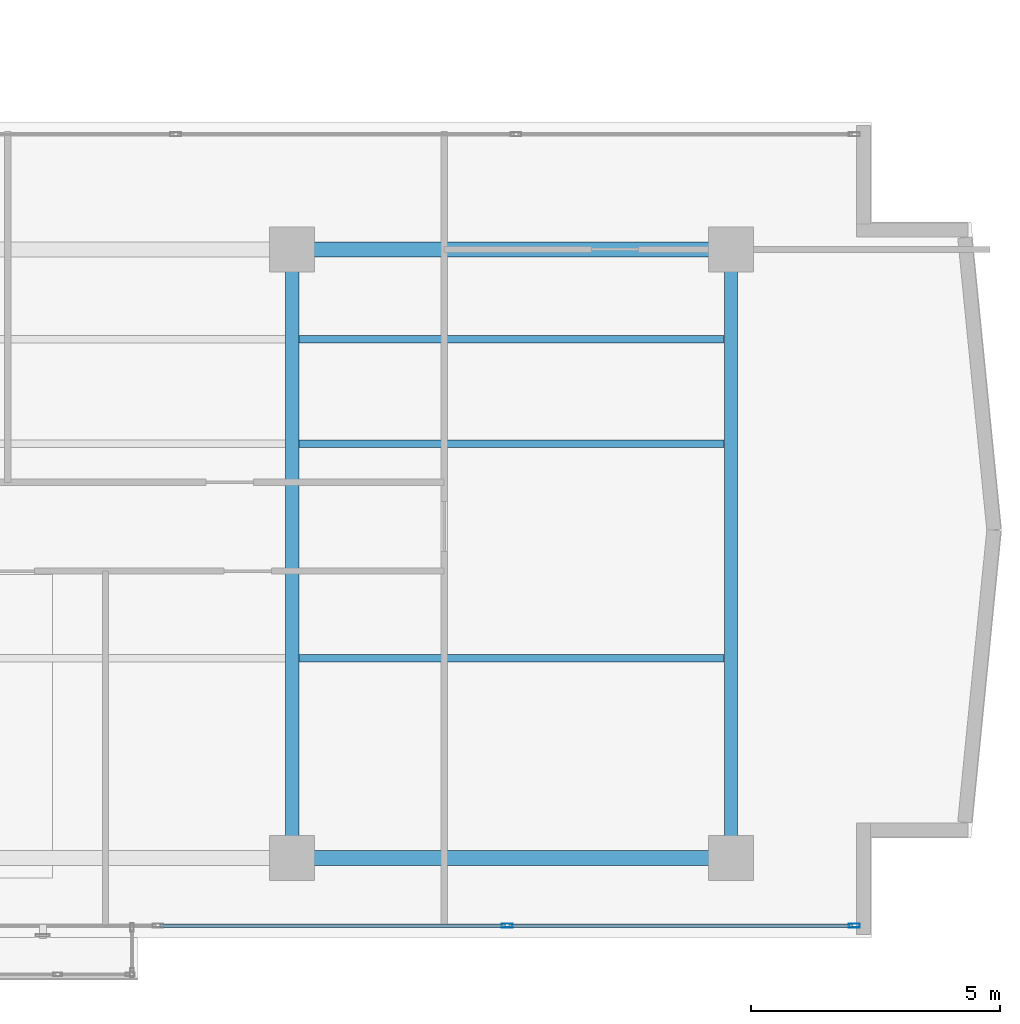
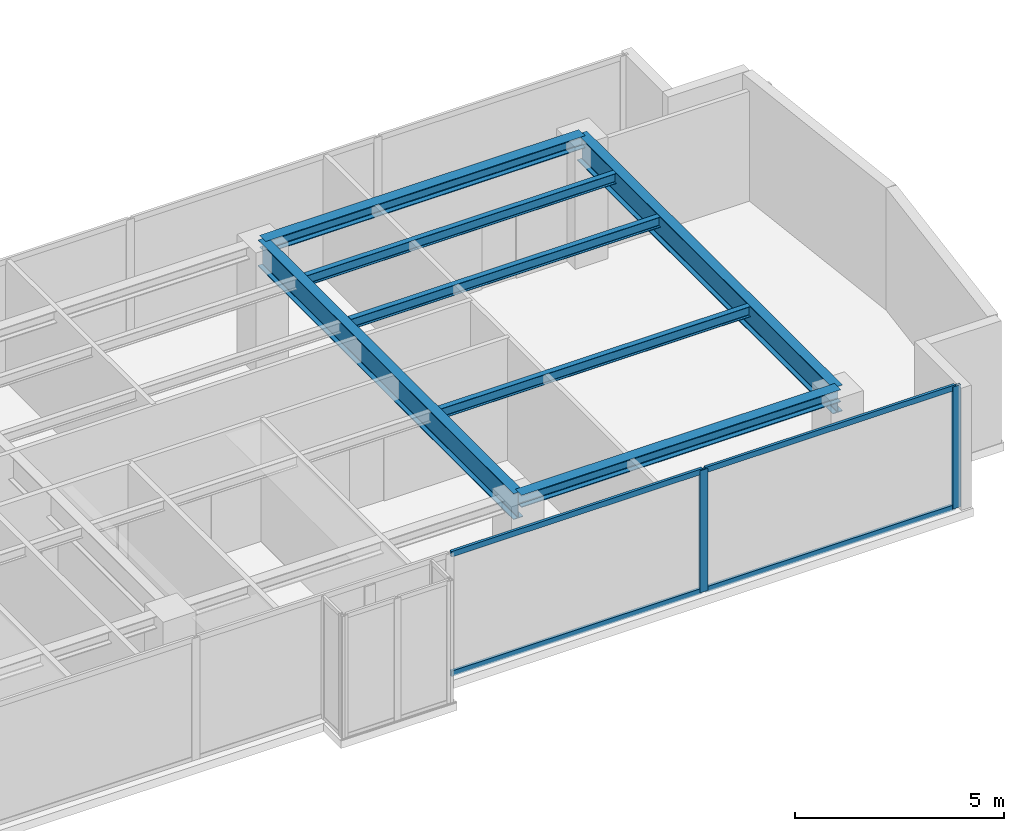
# One storey, part 11 of 22: 7 beams, 6 members, 1 element without a shape of its own.
"""IFC4 building model written with IfcOpenShell, lengths in metres."""

from ifc_helpers import new_model, si_unit, direction, frame, origin, origin_with_axes, origin_2d, place, context, subcontext, project, spatial, hollow_rectangle, i_section, extrude, source, transform, mapped, material, layer, layer_set, material_profile, profile_set, type_object, element, aggregate, save


model = new_model("IFC4")

# Units and contexts
model_context = context("Model", 3, precision=1e-05, world=origin(), true_north=direction((0.0, 1.0)))
body_context = subcontext(model_context, "Body", "Model", "MODEL_VIEW")
ifc_project = project(units=[si_unit("LENGTHUNIT", "METRE"), si_unit("AREAUNIT", "SQUARE_METRE"), si_unit("VOLUMEUNIT", "CUBIC_METRE"), si_unit("PLANEANGLEUNIT", "RADIAN"), si_unit("MASSUNIT", "GRAM", prefix="KILO")], contexts=[model_context])

# Site, building, storey
site_placement = place(None, origin())
site = spatial("IfcSite", under=ifc_project, at=site_placement, CompositionType="ELEMENT")
building_placement = place(site_placement, origin())
building = spatial("IfcBuilding", under=site, at=building_placement, Name="Kolvaren Waterfront Exchange", CompositionType="ELEMENT")
storey_placement = place(building_placement, frame((0.0, 0.0, 281.800048828125)))
storey = spatial("IfcBuildingStorey", under=building, at=storey_placement, Name="L72", CompositionType="ELEMENT", Elevation=281.800048828125)

# Beams
ifc_material_1 = material(Name="Steel S355", Category="steel")
ifc_material_profile_1 = material_profile(ifc_material_1, i_section(OverallWidth=0.300048828125, OverallDepth=0.360107421875, WebThickness=0.012451171875, FlangeThickness=0.0224609375, FilletRadius=0.027099609375, at=origin_2d()), Name="HEB360")
ifc_profile_set_1 = profile_set([ifc_material_profile_1], Name="Steel S355")
beam_type_1 = type_object("IfcBeamType", Name="STR-BM-HEB360", PredefinedType="SPANDREL", material=ifc_profile_set_1)
for number, where, z_axis, x_axis, name in (
    (1, (36.800048828125, 5.199951171875, 3.3798828125), (1.0, 0.0, 0.0), (0.0, 1.0, 0.0), "L72 east-arm spandrel S3"),
    (2, (36.800048828125, 17.39990234375, 3.3798828125), (1.0, 0.0, 0.0), (0.0, 1.0, 0.0), "L72 east-arm spandrel N3"),
):
    element("IfcBeam", number, at=place(storey_placement, frame(where, z_axis=z_axis, x_axis=x_axis)), inside=storey, type_object=beam_type_1, Name=name, PredefinedType="SPANDREL", context=body_context, shape_type="SweptSolid", body=[
        extrude(i_section(OverallWidth=0.300048828125, OverallDepth=0.360107421875, WebThickness=0.012451171875, FlangeThickness=0.0224609375, FilletRadius=0.027099609375, at=origin_2d()), origin(), (0.0, 0.0, 1.0), 8.800048828125),
    ])
ifc_material_profile_2 = material_profile(ifc_material_1, i_section(OverallWidth=0.14990234375, OverallDepth=0.300048828125, WebThickness=0.007080078125, FlangeThickness=0.0107421875, FilletRadius=0.014892578125, at=origin_2d()), Name="IPE300")
ifc_profile_set_2 = profile_set([ifc_material_profile_2], Name="Steel S355")
beam_type_2 = type_object("IfcBeamType", Name="STR-BM-IPE300", PredefinedType="JOIST", material=ifc_profile_set_2)
for number, where, z_axis, x_axis, name in (
    (3, (36.935546875, 13.5, 3.409912109375), (1.0, 0.0, 0.0), (0.0, 1.0, 0.0), "L72 east-arm composite joist 3A"),
    (4, (36.935546875, 15.60009765625, 3.409912109375), (1.0, 0.0, 0.0), (0.0, 1.0, 0.0), "L72 east-arm composite joist 3C"),
    (5, (36.935546875, 9.199951171875, 3.409912109375), (1.0, 0.0, 0.0), (0.0, 1.0, 0.0), "L72 east-arm composite joist 3B"),
):
    element("IfcBeam", number, at=place(storey_placement, frame(where, z_axis=z_axis, x_axis=x_axis)), inside=storey, type_object=beam_type_2, Name=name, PredefinedType="JOIST", context=body_context, shape_type="SweptSolid", body=[
        extrude(i_section(OverallWidth=0.14990234375, OverallDepth=0.300048828125, WebThickness=0.007080078125, FlangeThickness=0.0107421875, FilletRadius=0.014892578125, at=origin_2d()), origin(), (0.0, 0.0, 1.0), 8.529052734375),
    ])
ifc_material_profile_3 = material_profile(ifc_material_1, i_section(OverallWidth=0.26708984375, OverallDepth=0.761962890625, WebThickness=0.014404296875, FlangeThickness=0.021484375, FilletRadius=0.01708984375, at=origin_2d()), Name="IPE750x173")
ifc_profile_set_3 = profile_set([ifc_material_profile_3], Name="Steel S355")
beam_type_3 = type_object("IfcBeamType", Name="STR-BM-IPE750", PredefinedType="BEAM", material=ifc_profile_set_3)
for number, where, z_axis, x_axis, name in (
    (6, (36.800048828125, 5.199951171875, 3.178955078125), (0.0, 1.0, 0.0), (-1.0, 0.0, 0.0), "L72 east-arm transverse girder X36"),
    (7, (45.60009765625, 5.199951171875, 3.178955078125), (0.0, 1.0, 0.0), (-1.0, 0.0, 0.0), "L72 east-arm transverse girder X45"),
):
    element("IfcBeam", number, at=place(storey_placement, frame(where, z_axis=z_axis, x_axis=x_axis)), inside=storey, type_object=beam_type_3, Name=name, PredefinedType="BEAM", context=body_context, shape_type="SweptSolid", body=[
        extrude(i_section(OverallWidth=0.26708984375, OverallDepth=0.761962890625, WebThickness=0.014404296875, FlangeThickness=0.021484375, FilletRadius=0.01708984375, at=origin_2d()), origin(), (0.0, 0.0, 1.0), 12.199951171875),
    ])

# Curtain wall, members
ifc_material_2 = material(Name="Anodised bronze aluminium 6063-T6", Category="aluminium")
ifc_layer = layer(ifc_material_2, 0.219970703125, Name="Anodised bronze aluminium 6063-T6")
ifc_layer_set = layer_set([ifc_layer], Name="Anodised bronze aluminium 6063-T6")
curtain_wall_type = type_object("IfcCurtainWallType", Name="ARC-CW-SYS1", PredefinedType="USERDEFINED", material=ifc_layer_set)
curtain_wall_placement = place(storey_placement, origin())
curtain_wall = element("IfcCurtainWall", 8, at=curtain_wall_placement, inside=storey, type_object=curtain_wall_type, Name="L72 stick curtain wall CW1 (CW-L72-S)", ObjectType="STICK CURTAIN WALL", PredefinedType="USERDEFINED")
ifc_material_3 = material(Name="Anodised aluminium 6063-T6", Category="aluminium")
ifc_material_profile_4 = material_profile(ifc_material_3, hollow_rectangle(XDim=0.080078125, YDim=0.219970703125, WallThickness=0.0048828125, at=origin_2d()), Name="ALU-MUL-220x80x5")
ifc_profile_set_4 = profile_set([ifc_material_profile_4], Name="Anodised aluminium 6063-T6")
member_type_1 = type_object("IfcMemberType", Name="ARC-CWM-220", PredefinedType="MULLION", material=ifc_profile_set_4)
shared_shape_1 = source(origin_with_axes(), body_context, "Body", "SweptSolid", [
    extrude(hollow_rectangle(XDim=0.080078125, YDim=0.219970703125, WallThickness=0.0048828125, at=origin_2d()), origin(), (0.0, 0.0, 1.0), 3.56005859375),
])
member_1_placement = place(storey_placement, frame((41.11328125, 3.840087890625, 0.0), z_axis=(0.0, 0.0, 1.0), x_axis=(0.0, 1.0, 0.0)))
member_1 = element("IfcMember", 9, at=member_1_placement, type_object=member_type_1, Name="CW1 mullion 6", PredefinedType="MULLION", context=body_context, shape_type="MappedRepresentation", body=[
    mapped(shared_shape_1, transform((0.0, 0.0, 0.0), x_axis=(1.0, 0.0, 0.0), y_axis=(0.0, 1.0, 0.0), z_axis=(0.0, 0.0, 1.0), scale=1.0)),
])
member_2_placement = place(storey_placement, frame((48.07568359375, 3.840087890625, 0.0), z_axis=(0.0, 0.0, 1.0), x_axis=(0.0, 1.0, 0.0)))
member_2 = element("IfcMember", 10, at=member_2_placement, type_object=member_type_1, Name="CW1 mullion 7", PredefinedType="MULLION", context=body_context, shape_type="MappedRepresentation", body=[
    mapped(shared_shape_1, transform((0.0, 0.0, 0.0), x_axis=(1.0, 0.0, 0.0), y_axis=(0.0, 1.0, 0.0), z_axis=(0.0, 0.0, 1.0), scale=1.0)),
])
ifc_material_profile_5 = material_profile(ifc_material_3, hollow_rectangle(XDim=0.074951171875, YDim=0.159912109375, WallThickness=0.00439453125, at=origin_2d()), Name="ALU-TRN-160x75x4.5")
ifc_profile_set_5 = profile_set([ifc_material_profile_5], Name="Anodised aluminium 6063-T6")
member_type_2 = type_object("IfcMemberType", Name="ARC-CWT-160", PredefinedType="USERDEFINED", material=ifc_profile_set_5)
shared_shape_2 = source(origin_with_axes(), body_context, "Body", "SweptSolid", [
    extrude(hollow_rectangle(XDim=0.074951171875, YDim=0.159912109375, WallThickness=0.00439453125, at=origin_2d()), origin(), (0.0, 0.0, 1.0), 6.8828125),
])
member_3_placement = place(storey_placement, frame((41.153076171875, 3.840087890625, 0.037353515625), z_axis=(1.0, 0.0, 0.0), x_axis=(0.0, 1.0, 0.0)))
member_3 = element("IfcMember", 11, at=member_3_placement, type_object=member_type_2, Name="CW1 transom 6.1", ObjectType="TRANSOM", PredefinedType="USERDEFINED", context=body_context, shape_type="MappedRepresentation", body=[
    mapped(shared_shape_2, transform((0.0, 0.0, 0.0), x_axis=(1.0, 0.0, 0.0), y_axis=(0.0, 1.0, 0.0), z_axis=(0.0, 0.0, 1.0), scale=1.0)),
])
member_4_placement = place(storey_placement, frame((41.153076171875, 3.840087890625, 3.5224609375), z_axis=(1.0, 0.0, 0.0), x_axis=(0.0, 1.0, 0.0)))
member_4 = element("IfcMember", 12, at=member_4_placement, type_object=member_type_2, Name="CW1 transom 6.2", ObjectType="TRANSOM", PredefinedType="USERDEFINED", context=body_context, shape_type="MappedRepresentation", body=[
    mapped(shared_shape_2, transform((0.0, 0.0, 0.0), x_axis=(1.0, 0.0, 0.0), y_axis=(0.0, 1.0, 0.0), z_axis=(0.0, 0.0, 1.0), scale=1.0)),
])
shared_shape_3 = source(origin_with_axes(), body_context, "Body", "SweptSolid", [
    extrude(hollow_rectangle(XDim=0.074951171875, YDim=0.159912109375, WallThickness=0.00439453125, at=origin_2d()), origin(), (0.0, 0.0, 1.0), 6.922607421875),
])
member_5_placement = place(storey_placement, frame((34.150634765625, 3.840087890625, 0.037353515625), z_axis=(1.0, 0.0, 0.0), x_axis=(0.0, 1.0, 0.0)))
member_5 = element("IfcMember", 13, at=member_5_placement, type_object=member_type_2, Name="CW1 transom 5.1", ObjectType="TRANSOM", PredefinedType="USERDEFINED", context=body_context, shape_type="MappedRepresentation", body=[
    mapped(shared_shape_3, transform((0.0, 0.0, 0.0), x_axis=(1.0, 0.0, 0.0), y_axis=(0.0, 1.0, 0.0), z_axis=(0.0, 0.0, 1.0), scale=1.0)),
])
member_6_placement = place(storey_placement, frame((34.150634765625, 3.840087890625, 3.5224609375), z_axis=(1.0, 0.0, 0.0), x_axis=(0.0, 1.0, 0.0)))
member_6 = element("IfcMember", 14, at=member_6_placement, type_object=member_type_2, Name="CW1 transom 5.2", ObjectType="TRANSOM", PredefinedType="USERDEFINED", context=body_context, shape_type="MappedRepresentation", body=[
    mapped(shared_shape_3, transform((0.0, 0.0, 0.0), x_axis=(1.0, 0.0, 0.0), y_axis=(0.0, 1.0, 0.0), z_axis=(0.0, 0.0, 1.0), scale=1.0)),
])
aggregate(curtain_wall, [member_1, member_2, member_5, member_6, member_3, member_4])

save(model, "model.ifc")
